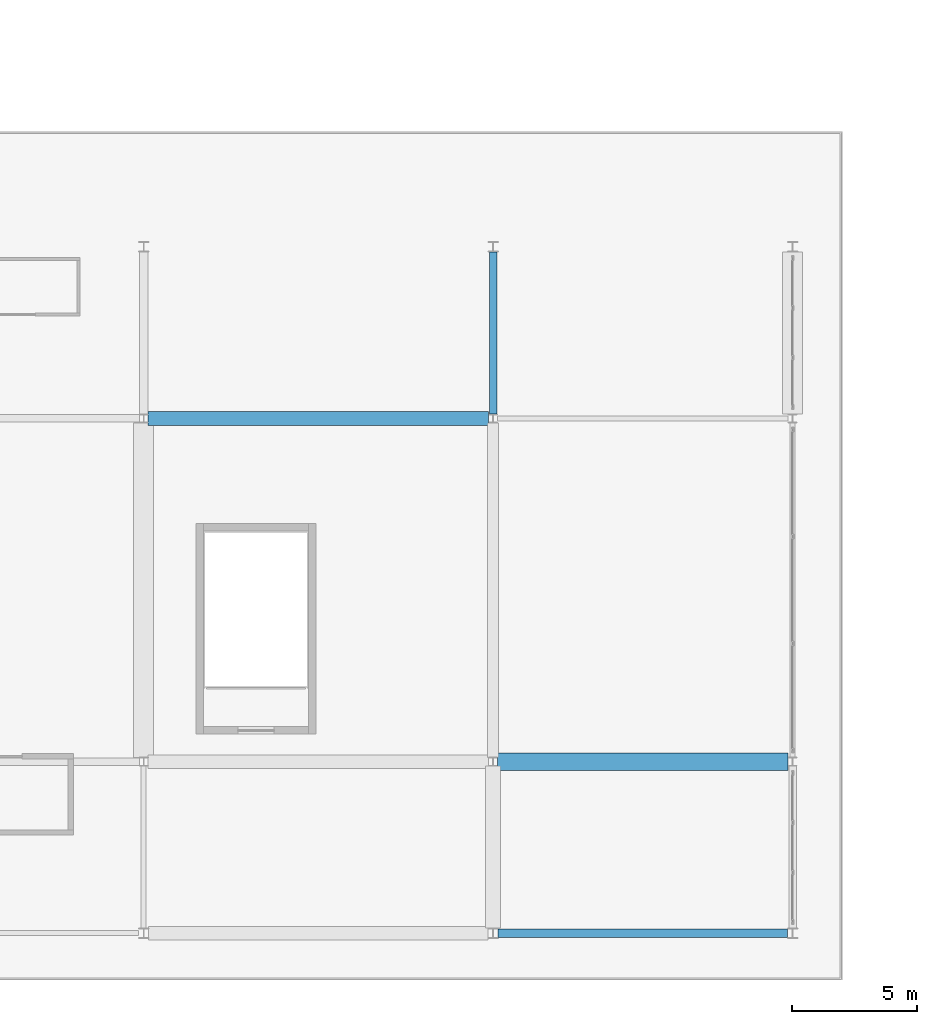
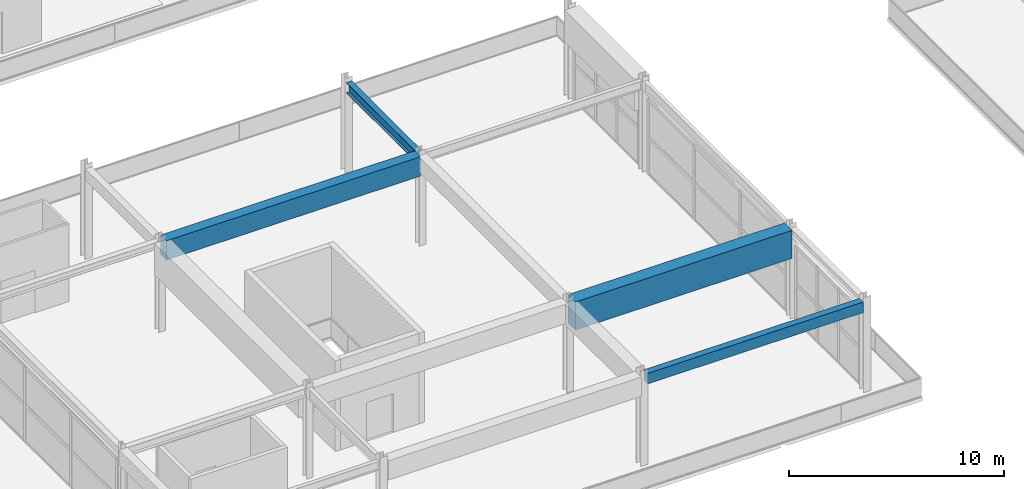
# One storey, part 26 of 117: 4 beams.
"""IFC4 building model written with IfcOpenShell, lengths in metres."""

from ifc_helpers import new_model, si_unit, direction, frame, origin, origin_2d, place, context, subcontext, project, spatial, rectangle, i_section, extrude, material, material_profile, profile_set, type_object, element, save


model = new_model("IFC4")

# Units and contexts
model_context = context("Model", 3, precision=1e-05, world=origin(), true_north=direction((0.0, 1.0)))
body_context = subcontext(model_context, "Body", "Model", "MODEL_VIEW")
ifc_project = project(units=[si_unit("LENGTHUNIT", "METRE"), si_unit("AREAUNIT", "SQUARE_METRE"), si_unit("VOLUMEUNIT", "CUBIC_METRE"), si_unit("PLANEANGLEUNIT", "RADIAN"), si_unit("MASSUNIT", "GRAM", prefix="KILO")], contexts=[model_context])

# Site, building, storey
site_placement = place(None, origin())
site = spatial("IfcSite", under=ifc_project, at=site_placement, CompositionType="ELEMENT")
building_placement = place(site_placement, origin())
building = spatial("IfcBuilding", under=site, at=building_placement, Name="Linyun Crest Stadium", CompositionType="ELEMENT")
storey_placement = place(building_placement, frame((0.0, 0.0, 6.0)))
storey = spatial("IfcBuildingStorey", under=building, at=storey_placement, Name="L02", CompositionType="ELEMENT", Elevation=6.0)

# Beams
ifc_material_1 = material(Name="Concrete C40", Category="concrete")
ifc_material_profile_1 = material_profile(ifc_material_1, rectangle(XDim=0.35009765625, YDim=0.60009765625, at=origin_2d()), Name="RCB 600x350")
ifc_profile_set_1 = profile_set([ifc_material_profile_1], Name="Concrete C40")
beam_type_1 = type_object("IfcBeamType", Name="B01", PredefinedType="BEAM", material=ifc_profile_set_1)
beam_1_placement = place(storey_placement, frame((-69.800048828125, -94.125, 4.85009765625), z_axis=(1.0, 0.0, 0.0), x_axis=(0.0, 1.0, 0.0)))
element("IfcBeam", 1, at=beam_1_placement, inside=storey, type_object=beam_type_1, Name="Frame beam B01 L02 1083", PredefinedType="BEAM", context=body_context, shape_type="SweptSolid", body=[
    extrude(rectangle(XDim=0.35009765625, YDim=0.60009765625, at=origin_2d()), origin(), (0.0, 0.0, 1.0), 11.60009765625),
])
ifc_material_2 = material(Name="Steel Q355C", Category="steel")
ifc_material_profile_2 = material_profile(ifc_material_2, i_section(OverallWidth=0.300048828125, OverallDepth=0.587890625, WebThickness=0.011962890625, FlangeThickness=0.02001953125, at=origin_2d()), Name="HM 588x300")
ifc_profile_set_2 = profile_set([ifc_material_profile_2], Name="Steel Q355C")
beam_type_2 = type_object("IfcBeamType", Name="B09", PredefinedType="BEAM", material=ifc_profile_set_2)
beam_2_placement = place(storey_placement, frame((-70.0, -73.324951171875, 4.85595703125), z_axis=(0.0, 1.0, 0.0), x_axis=(-1.0, 0.0, 0.0)))
element("IfcBeam", 2, at=beam_2_placement, inside=storey, type_object=beam_type_2, Name="Frame beam B09 L02 1106", PredefinedType="BEAM", context=body_context, shape_type="SweptSolid", body=[
    extrude(i_section(OverallWidth=0.300048828125, OverallDepth=0.587890625, WebThickness=0.011962890625, FlangeThickness=0.02001953125, at=origin_2d()), origin(), (0.0, 0.0, 1.0), 6.5),
])
ifc_material_3 = material(Name="Concrete C50", Category="concrete")
ifc_material_profile_3 = material_profile(ifc_material_3, rectangle(XDim=0.699951171875, YDim=1.60009765625, at=origin_2d()), Name="RCB 1600x700")
ifc_profile_set_3 = profile_set([ifc_material_profile_3], Name="Concrete C50")
beam_type_3 = type_object("IfcBeamType", Name="B13", PredefinedType="BEAM", material=ifc_profile_set_3)
beam_3_placement = place(storey_placement, frame((-69.824951171875, -87.25, 4.35009765625), z_axis=(1.0, 0.0, 0.0), x_axis=(0.0, 1.0, 0.0)))
element("IfcBeam", 3, at=beam_3_placement, inside=storey, type_object=beam_type_3, Name="Frame beam B13 L02 1089", PredefinedType="BEAM", context=body_context, shape_type="SweptSolid", body=[
    extrude(rectangle(XDim=0.699951171875, YDim=1.60009765625, at=origin_2d()), origin(), (0.0, 0.0, 1.0), 11.64990234375),
])
ifc_material_4 = material(Name="Concrete C50", Category="concrete")
ifc_material_profile_4 = material_profile(ifc_material_4, rectangle(XDim=0.550048828125, YDim=1.10009765625, at=origin_2d()), Name="RCB 1100x550")
ifc_profile_set_4 = profile_set([ifc_material_profile_4], Name="Concrete C50")
beam_type_4 = type_object("IfcBeamType", Name="TB01", PredefinedType="USERDEFINED", material=ifc_profile_set_4)
beam_4_placement = place(storey_placement, frame((-83.824951171875, -73.5, 4.60009765625), z_axis=(1.0, 0.0, 0.0), x_axis=(0.0, 1.0, 0.0)))
element("IfcBeam", 4, at=beam_4_placement, inside=storey, type_object=beam_type_4, Name="Frame beam TB01 L02 1094", ObjectType="GIRDER", PredefinedType="USERDEFINED", context=body_context, shape_type="SweptSolid", body=[
    extrude(rectangle(XDim=0.550048828125, YDim=1.10009765625, at=origin_2d()), origin(), (0.0, 0.0, 1.0), 13.64990234375),
])

save(model, "model.ifc")
